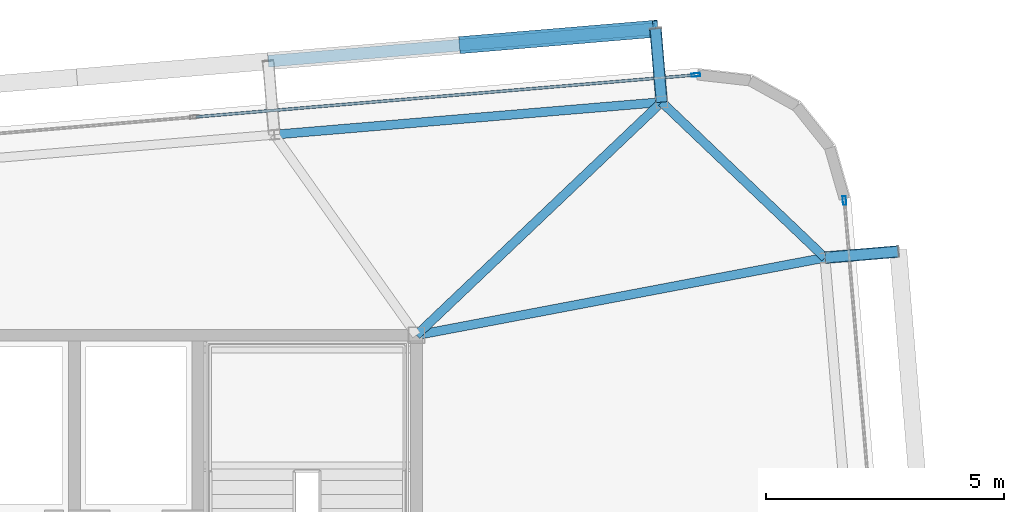
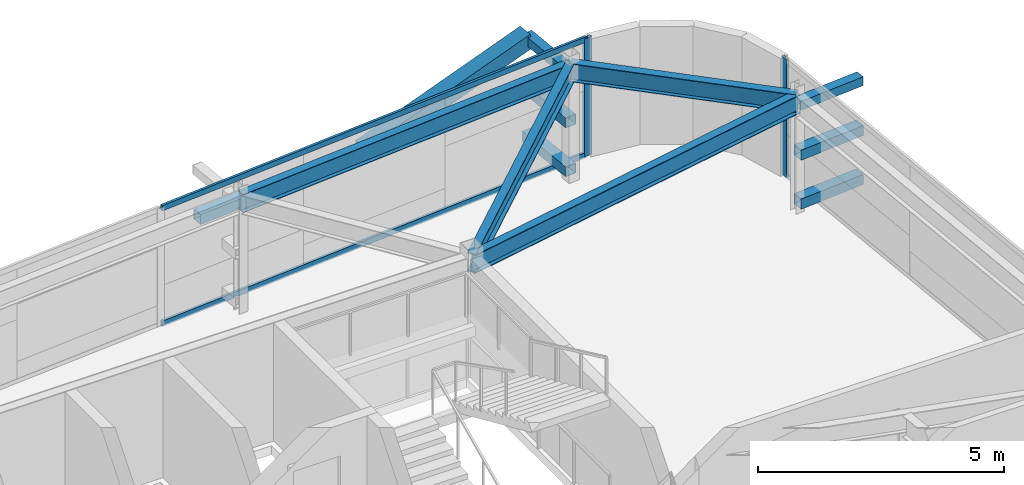
# One storey, part 25 of 39: 12 members, 4 beams, 2 elements without a shape of their own.
"""IFC4 building model written with IfcOpenShell, lengths in metres."""

from ifc_helpers import new_model, si_unit, direction, frame, origin, origin_2d, place, context, subcontext, project, spatial, hollow_rectangle, i_section, extrude, source, transform, mapped, material, layer, layer_set, material_profile, profile_set, type_object, element, aggregate, save


model = new_model("IFC4")

# Units and contexts
model_context = context("Model", 3, precision=1e-05, world=origin(), true_north=direction((0.0, 1.0)))
body_context = subcontext(model_context, "Body", "Model", "MODEL_VIEW")
ifc_project = project(units=[si_unit("LENGTHUNIT", "METRE"), si_unit("AREAUNIT", "SQUARE_METRE"), si_unit("VOLUMEUNIT", "CUBIC_METRE"), si_unit("PLANEANGLEUNIT", "RADIAN"), si_unit("MASSUNIT", "GRAM", prefix="KILO")], contexts=[model_context])

# Site, building, storey
site_placement = place(None, origin())
site = spatial("IfcSite", under=ifc_project, at=site_placement, CompositionType="ELEMENT")
building_placement = place(site_placement, origin())
building = spatial("IfcBuilding", under=site, at=building_placement, Name="Taldren Reach Tower", CompositionType="ELEMENT")
storey_placement = place(building_placement, frame((0.0, 0.0, 197.75)))
storey = spatial("IfcBuildingStorey", under=building, at=storey_placement, Name="L60", CompositionType="ELEMENT", Elevation=197.75)

# Members
ifc_material_1 = material(Name="Steel Gr 350 (C350L0)", Category="steel")
ifc_material_profile_1 = material_profile(ifc_material_1, hollow_rectangle(XDim=0.25, YDim=0.25, WallThickness=0.010009765625, at=origin_2d()), Name="250x250x10.0SHS")
ifc_profile_set_1 = profile_set([ifc_material_profile_1], Name="Steel Gr 350 (C350L0)")
member_type_1 = type_object("IfcMemberType", Name="MB-POST250", PredefinedType="POST", material=ifc_profile_set_1)
shared_shape_1 = source(origin(), body_context, "Body", "SweptSolid", [
    extrude(hollow_rectangle(XDim=0.25, YDim=0.25, WallThickness=0.010009765625, at=origin_2d()), origin(), (0.0, 0.0, 1.0), 1.5498046875),
])
for number, where, z_axis, x_axis, name in (
    (1, (56.160400390625, 36.906005859375, 0.219970703125), (-0.083645141657, 0.996495604746, 0.0), (-0.996495604746, -0.083645141657, 0.0), "Exoskeleton base diaphragm tie strut B4-N6 L60"),
    (2, (56.160400390625, 36.906005859375, 1.43505859375), (-0.083645141657, 0.996495604746, 0.0), (-0.996495604746, -0.083645141657, 0.0), "Exoskeleton mid-tier diaphragm tie B4-N6 L60"),
):
    element("IfcMember", number, at=place(storey_placement, frame(where, z_axis=z_axis, x_axis=x_axis)), inside=storey, type_object=member_type_1, Name=name, PredefinedType="POST", context=body_context, shape_type="MappedRepresentation", body=[
        mapped(shared_shape_1, transform((0.0, 0.0, 0.0), scale=1.0)),
    ])

# Beams
ifc_material_2 = material(Name="Steel Gr 350 (350PLUS)", Category="steel")
ifc_material_profile_2 = material_profile(ifc_material_2, i_section(OverallWidth=0.18994140625, OverallDepth=0.4541015625, WebThickness=0.008544921875, FlangeThickness=0.0126953125, at=origin_2d()), Name="460UB67.1")
ifc_profile_set_2 = profile_set([ifc_material_profile_2], Name="Steel Gr 350 (350PLUS)")
beam_type_1 = type_object("IfcBeamType", Name="SP-UB460B", PredefinedType="SPANDREL", material=ifc_profile_set_2)
shared_shape_2 = source(origin(), body_context, "Body", "SweptSolid", [
    extrude(i_section(OverallWidth=0.18994140625, OverallDepth=0.4541015625, WebThickness=0.008544921875, FlangeThickness=0.0126953125, at=origin_2d()), origin(), (0.0, 0.0, 1.0), 8.18017578125),
])
beam_1_placement = place(storey_placement, frame((56.160400390625, 36.906005859375, 2.702880859375), z_axis=(-0.996492034688, -0.083687662192, 0.0), x_axis=(0.083687662192, -0.996492034688, 0.0)))
element("IfcBeam", 3, at=beam_1_placement, inside=storey, type_object=beam_type_1, Name="Perimeter spandrel B4 N6-N5 L60", PredefinedType="SPANDREL", context=body_context, shape_type="MappedRepresentation", body=[
    mapped(shared_shape_2, transform((0.0, 0.0, 0.0), scale=1.0)),
])
shared_shape_3 = source(origin(), body_context, "Body", "SweptSolid", [
    extrude(i_section(OverallWidth=0.18994140625, OverallDepth=0.4541015625, WebThickness=0.008544921875, FlangeThickness=0.0126953125, at=origin_2d()), origin(), (0.0, 0.0, 1.0), 4.74609375),
])
beam_2_placement = place(storey_placement, frame((59.596435546875, 33.632080078125, 2.702880859375), z_axis=(-0.723978879349, 0.689822138132, 0.0), x_axis=(-0.689822138132, -0.723978879349, 0.0)))
element("IfcBeam", 4, at=beam_2_placement, inside=storey, type_object=beam_type_1, Name="Perimeter spandrel B4 E3-N6 L60", PredefinedType="SPANDREL", context=body_context, shape_type="MappedRepresentation", body=[
    mapped(shared_shape_3, transform((0.0, 0.0, 0.0), scale=1.0)),
])
ifc_material_profile_3 = material_profile(ifc_material_2, i_section(OverallWidth=0.19091796875, OverallDepth=0.4599609375, WebThickness=0.010009765625, FlangeThickness=0.01611328125, at=origin_2d()), Name="460UB82.1")
ifc_profile_set_3 = profile_set([ifc_material_profile_3], Name="Steel Gr 350 (350PLUS)")
beam_type_2 = type_object("IfcBeamType", Name="BM-UB460A", PredefinedType="BEAM", material=ifc_profile_set_3)
shared_shape_4 = source(origin(), body_context, "Body", "SweptSolid", [
    extrude(i_section(OverallWidth=0.19091796875, OverallDepth=0.4599609375, WebThickness=0.010009765625, FlangeThickness=0.01611328125, at=origin_2d()), origin(), (0.0, 0.0, 1.0), 8.75),
])
beam_3_placement = place(storey_placement, frame((51.0, 32.0, 2.699951171875), z_axis=(0.982450485799, 0.18652357211, 0.0), x_axis=(-0.18652357211, 0.982450485799, 0.0)))
element("IfcBeam", 5, at=beam_3_placement, inside=storey, type_object=beam_type_2, Name="Primary floor girder B4-E3 L60", PredefinedType="BEAM", context=body_context, shape_type="MappedRepresentation", body=[
    mapped(shared_shape_4, transform((0.0, 0.0, 0.0), scale=1.0)),
])
shared_shape_5 = source(origin(), body_context, "Body", "SweptSolid", [
    extrude(i_section(OverallWidth=0.19091796875, OverallDepth=0.4599609375, WebThickness=0.010009765625, FlangeThickness=0.01611328125, at=origin_2d()), origin(), (0.0, 0.0, 1.0), 7.120361328125),
])
beam_4_placement = place(storey_placement, frame((51.0, 32.0, 2.699951171875), z_axis=(0.724745130454, 0.689017050503, 0.0), x_axis=(-0.689017050503, 0.724745130454, 0.0)))
element("IfcBeam", 6, at=beam_4_placement, inside=storey, type_object=beam_type_2, Name="Primary floor girder B4-N6 L60", PredefinedType="BEAM", context=body_context, shape_type="MappedRepresentation", body=[
    mapped(shared_shape_5, transform((0.0, 0.0, 0.0), scale=1.0)),
])

# Members
ifc_material_3 = material(Name="Steel Gr 450 (C450L0)", Category="steel")
ifc_material_profile_4 = material_profile(ifc_material_3, hollow_rectangle(XDim=0.219970703125, YDim=0.219970703125, WallThickness=0.00830078125, at=origin_2d()), Name="220x220x8.2SHS")
ifc_profile_set_4 = profile_set([ifc_material_profile_4], Name="Steel Gr 450 (C450L0)")
member_type_2 = type_object("IfcMemberType", Name="MB-TIE219", PredefinedType="STRUT", material=ifc_profile_set_4)
shared_shape_6 = source(origin(), body_context, "Body", "SweptSolid", [
    extrude(hollow_rectangle(XDim=0.219970703125, YDim=0.219970703125, WallThickness=0.00830078125, at=origin_2d()), origin(), (0.0, 0.0, 1.0), 1.5498046875),
])
member_1_placement = place(storey_placement, frame((56.160400390625, 36.906005859375, 2.64990234375), z_axis=(-0.083645141657, 0.996495604746, 0.0), x_axis=(-0.996495604746, -0.083645141657, 0.0)))
element("IfcMember", 7, at=member_1_placement, inside=storey, type_object=member_type_2, Name="Exoskeleton diaphragm tie strut B4-N6 L60", PredefinedType="STRUT", context=body_context, shape_type="MappedRepresentation", body=[
    mapped(shared_shape_6, transform((0.0, 0.0, 0.0), scale=1.0)),
])
shared_shape_7 = source(origin(), body_context, "Body", "SweptSolid", [
    extrude(hollow_rectangle(XDim=0.219970703125, YDim=0.219970703125, WallThickness=0.00830078125, at=origin_2d()), origin(), (0.0, 0.0, 1.0), 1.545166015625),
])
member_2_placement = place(storey_placement, frame((59.60107421875, 33.63232421875, 2.64990234375), z_axis=(0.996487766615, 0.083738467783, 0.0), x_axis=(-0.083738467783, 0.996487766615, 0.0)))
element("IfcMember", 8, at=member_2_placement, inside=storey, type_object=member_type_2, Name="Exoskeleton diaphragm tie strut B4-E3 L60", PredefinedType="STRUT", context=body_context, shape_type="MappedRepresentation", body=[
    mapped(shared_shape_7, transform((0.0, 0.0, 0.0), scale=1.0)),
])
shared_shape_8 = source(origin(), body_context, "Body", "SweptSolid", [
    extrude(hollow_rectangle(XDim=0.25, YDim=0.25, WallThickness=0.010009765625, at=origin_2d()), origin(), (0.0, 0.0, 1.0), 8.179931640625),
])
member_3_placement = place(storey_placement, frame((47.87939453125, 37.76611328125, 1.43505859375), z_axis=(0.996494523218, 0.083658025296, 0.0), x_axis=(-0.083658025296, 0.996494523218, 0.0)))
element("IfcMember", 9, at=member_3_placement, inside=storey, type_object=member_type_1, Name="Exoskeleton mid-height ring chord B4-N5 L60", PredefinedType="POST", context=body_context, shape_type="MappedRepresentation", body=[
    mapped(shared_shape_8, transform((0.0, 0.0, 0.0), scale=1.0)),
])
shared_shape_9 = source(origin(), body_context, "Body", "SweptSolid", [
    extrude(hollow_rectangle(XDim=0.25, YDim=0.25, WallThickness=0.010009765625, at=origin_2d()), origin(), (0.0, 0.0, 1.0), 1.545166015625),
])
for number, where, z_axis, x_axis, name in (
    (10, (59.60107421875, 33.63232421875, 0.219970703125), (0.996487766615, 0.083738467783, 0.0), (-0.083738467783, 0.996487766615, 0.0), "Exoskeleton base diaphragm tie strut B4-E3 L60"),
    (11, (59.60107421875, 33.63232421875, 1.43505859375), (0.996487766615, 0.083738467783, 0.0), (-0.083738467783, 0.996487766615, 0.0), "Exoskeleton mid-tier diaphragm tie B4-E3 L60"),
):
    element("IfcMember", number, at=place(storey_placement, frame(where, z_axis=z_axis, x_axis=x_axis)), inside=storey, type_object=member_type_1, Name=name, PredefinedType="POST", context=body_context, shape_type="MappedRepresentation", body=[
        mapped(shared_shape_9, transform((0.0, 0.0, 0.0), scale=1.0)),
    ])
ifc_material_profile_5 = material_profile(ifc_material_3, hollow_rectangle(XDim=0.360107421875, YDim=0.360107421875, WallThickness=0.0126953125, at=origin_2d()), Name="360x360x12.7SHS")
ifc_profile_set_5 = profile_set([ifc_material_profile_5], Name="Steel Gr 450 (C450L0)")
member_type_3 = type_object("IfcMemberType", Name="MB-EXO356", PredefinedType="BRACE", material=ifc_profile_set_5)
shared_shape_10 = source(origin(), body_context, "Body", "SweptSolid", [
    extrude(hollow_rectangle(XDim=0.360107421875, YDim=0.360107421875, WallThickness=0.0126953125, at=origin_2d()), origin(), (0.0, 0.0, 1.0), 4.2666015625),
])
member_4_placement = place(storey_placement, frame((51.955078125, 38.1083984375, 1.43505859375), z_axis=(0.955249107127, 0.080166766448, 0.284732212595), x_axis=(-0.083628388178, 0.996497010879, 0.0)))
element("IfcMember", 12, at=member_4_placement, inside=storey, type_object=member_type_3, Name="Exoskeleton Diagrid Brace B4-N5 L60", PredefinedType="BRACE", context=body_context, shape_type="MappedRepresentation", body=[
    mapped(shared_shape_10, transform((0.0, 0.0, 0.0), scale=1.0)),
])

# Curtain wall, member
ifc_material_4 = material(Name="Aluminium and Low-E Glass Unitised System", Category="aluminium")
ifc_layer = layer(ifc_material_4, 0.159912109375)
ifc_layer_set = layer_set([ifc_layer], Name="Aluminium and Low-E Glass Unitised System")
curtain_wall_type = type_object("IfcCurtainWallType", Name="CW-SYS-5", PredefinedType="NOTDEFINED", material=ifc_layer_set)
curtain_wall_1_placement = place(storey_placement, origin())
curtain_wall_1 = element("IfcCurtainWall", 13, at=curtain_wall_1_placement, inside=storey, type_object=curtain_wall_type, Name="Unitised curtain wall CW-L60-N", PredefinedType="NOTDEFINED")
ifc_material_5 = material(Name="Anodised Aluminium 6063-T6", Category="aluminium")
ifc_material_profile_6 = material_profile(ifc_material_5, hollow_rectangle(XDim=0.070068359375, YDim=0.179931640625, WallThickness=0.00390625, at=origin_2d()), Name="ALU-180x70x4RHS")
ifc_profile_set_6 = profile_set([ifc_material_profile_6], Name="Anodised Aluminium 6063-T6")
member_type_4 = type_object("IfcMemberType", Name="CW-MUL-180", PredefinedType="MULLION", material=ifc_profile_set_6)
shared_shape_11 = source(origin(), body_context, "Body", "SweptSolid", [
    extrude(hollow_rectangle(XDim=0.070068359375, YDim=0.179931640625, WallThickness=0.00390625, at=origin_2d()), origin(), (0.0, 0.0, 1.0), 2.929931640625),
])
member_5_placement = place(storey_placement, frame((56.8798828125, 37.478271484375, 0.0), z_axis=(0.0, 0.0, 1.0), x_axis=(0.083677875247, -0.99649285657, 0.0)))
member_5 = element("IfcMember", 14, at=member_5_placement, type_object=member_type_4, Name="CW-5 mullion 1", PredefinedType="MULLION", context=body_context, shape_type="MappedRepresentation", body=[
    mapped(shared_shape_11, transform((0.0, 0.0, 0.0), scale=1.0)),
])

curtain_wall_2_placement = place(storey_placement, origin())
curtain_wall_2 = element("IfcCurtainWall", 15, at=curtain_wall_2_placement, inside=storey, type_object=curtain_wall_type, Name="Unitised curtain wall CW-L60-E", PredefinedType="NOTDEFINED")
member_6_placement = place(storey_placement, frame((60.007080078125, 34.835693359375, 0.0), z_axis=(0.0, 0.0, 1.0), x_axis=(-0.996492847789, -0.083677979808, 0.0)))
member_6 = element("IfcMember", 16, at=member_6_placement, type_object=member_type_4, Name="CW-5 mullion 3", PredefinedType="MULLION", context=body_context, shape_type="MappedRepresentation", body=[
    mapped(shared_shape_11, transform((0.0, 0.0, 0.0), scale=1.0)),
])
aggregate(curtain_wall_2, [member_6])

# Member
ifc_material_profile_7 = material_profile(ifc_material_5, hollow_rectangle(XDim=0.06005859375, YDim=0.135009765625, WallThickness=0.00341796875, at=origin_2d()), Name="ALU-135x60x3.5RHS")
ifc_profile_set_7 = profile_set([ifc_material_profile_7], Name="Anodised Aluminium 6063-T6")
member_type_5 = type_object("IfcMemberType", Name="CW-TRN-150", PredefinedType="USERDEFINED", material=ifc_profile_set_7)
shared_shape_12 = source(origin(), body_context, "Body", "SweptSolid", [
    extrude(hollow_rectangle(XDim=0.06005859375, YDim=0.135009765625, WallThickness=0.00341796875, at=origin_2d()), origin(), (0.0, 0.0, 1.0), 10.52001953125),
])
member_7_placement = place(storey_placement, frame((56.84521484375, 37.475341796875, 0.030029296875), z_axis=(-0.996492256575, -0.08368502008, 0.0), x_axis=(0.08368502008, -0.996492256575, 0.0)))
member_7 = element("IfcMember", 17, at=member_7_placement, type_object=member_type_5, Name="CW-5 transom 1.1", ObjectType="TRANSOM", PredefinedType="USERDEFINED", context=body_context, shape_type="MappedRepresentation", body=[
    mapped(shared_shape_12, transform((0.0, 0.0, 0.0), scale=1.0)),
])

member_8_placement = place(storey_placement, frame((56.84521484375, 37.475341796875, 2.89990234375), z_axis=(-0.996492256575, -0.08368502008, 0.0), x_axis=(0.08368502008, -0.996492256575, 0.0)))
member_8 = element("IfcMember", 18, at=member_8_placement, type_object=member_type_5, Name="CW-5 transom 1.2", ObjectType="TRANSOM", PredefinedType="USERDEFINED", context=body_context, shape_type="MappedRepresentation", body=[
    mapped(shared_shape_12, transform((0.0, 0.0, 0.0), scale=1.0)),
])

aggregate(curtain_wall_1, [member_5, member_7, member_8])

save(model, "model.ifc")
